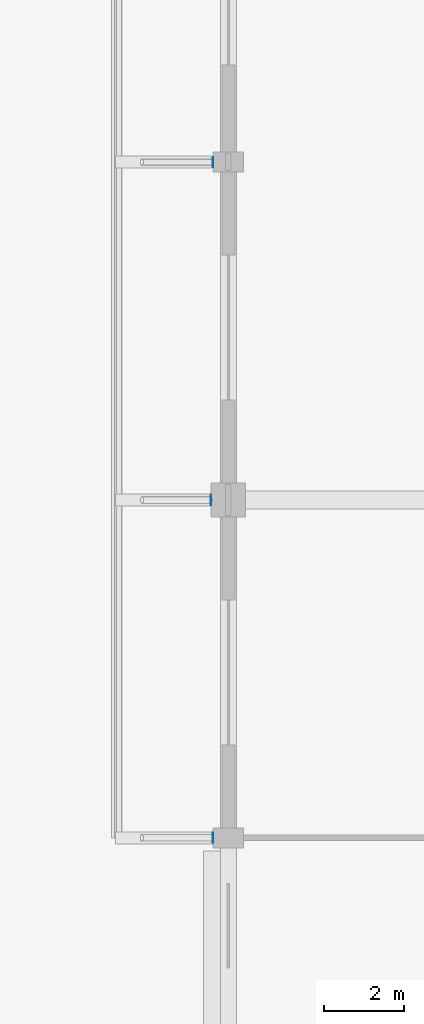
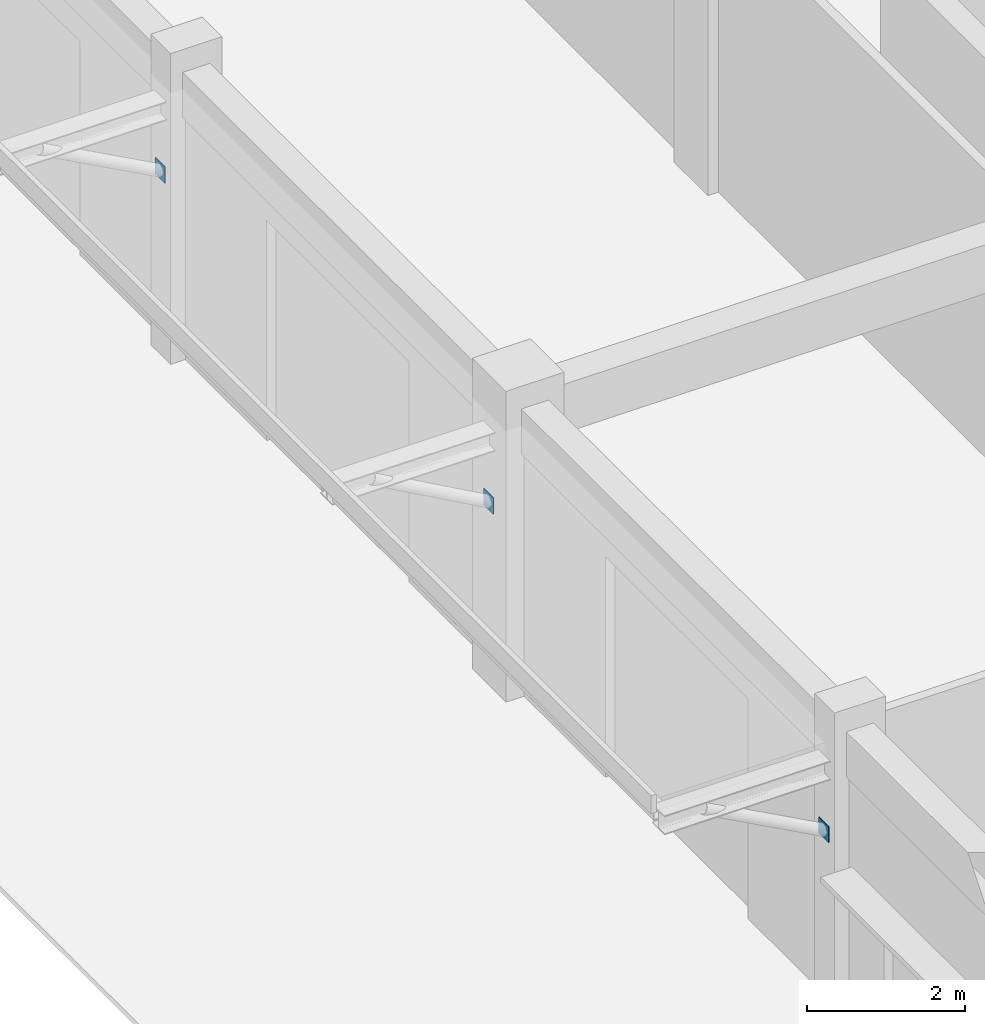
# One storey, part 44 of 74: 3 plates.
"""IFC4 building model written with IfcOpenShell, lengths in metres."""

from ifc_helpers import new_model, si_unit, direction, frame, origin, origin_2d, place, context, subcontext, project, spatial, rectangle, extrude, material, layer, layer_set, type_object, element, save


model = new_model("IFC4")

# Units and contexts
model_context = context("Model", 3, precision=1e-05, world=origin(), true_north=direction((0.0, 1.0)))
body_context = subcontext(model_context, "Body", "Model", "MODEL_VIEW")
ifc_project = project(units=[si_unit("LENGTHUNIT", "METRE"), si_unit("AREAUNIT", "SQUARE_METRE"), si_unit("VOLUMEUNIT", "CUBIC_METRE"), si_unit("PLANEANGLEUNIT", "RADIAN"), si_unit("MASSUNIT", "GRAM", prefix="KILO"), si_unit("THERMODYNAMICTEMPERATUREUNIT", "KELVIN"), si_unit("POWERUNIT", "WATT")], contexts=[model_context])

# Site, building, storey
site_placement = place(None, origin())
site = spatial("IfcSite", under=ifc_project, at=site_placement, CompositionType="ELEMENT")
building_placement = place(site_placement, origin())
building = spatial("IfcBuilding", under=site, at=building_placement, Name="Srebrne Nadtorze General Hospital", CompositionType="ELEMENT")
storey_placement = place(building_placement, origin())
storey = spatial("IfcBuildingStorey", under=building, at=storey_placement, Name="L00", CompositionType="ELEMENT", Elevation=0.0)

# Plates
ifc_material = material(Name="Steel S355J2", Category="steel")
ifc_layer = layer(ifc_material, 0.011962890625)
ifc_layer_set = layer_set([ifc_layer], Name="Steel S355J2")
plate_type = type_object("IfcPlateType", Name="Steel bearing plate 12", PredefinedType="SHEET", material=ifc_layer_set)
for number, where, z_axis, x_axis, name in (
    (1, (-0.381103515625, 42.0, 2.72509765625), (0.0, 0.0, 1.0), (1.0, 0.0, 0.0), "Emergency ambulance canopy strut end plate 1"),
    (2, (-0.430908203125, 50.39990234375, 2.72509765625), (0.0, 0.0, 1.0), (1.0, 0.0, 0.0), "Emergency ambulance canopy strut end plate 2"),
    (3, (-0.381103515625, 58.800048828125, 2.72509765625), (0.0, 0.0, 1.0), (1.0, 0.0, 0.0), "Emergency ambulance canopy strut end plate 3"),
):
    element("IfcPlate", number, at=place(storey_placement, frame(where, z_axis=z_axis, x_axis=x_axis)), inside=storey, type_object=plate_type, Name=name, PredefinedType="SHEET", context=body_context, shape_type="SweptSolid", body=[
        extrude(rectangle(XDim=0.011962890625, YDim=0.25, at=origin_2d()), origin(), (0.0, 0.0, 1.0), 0.25),
    ])

save(model, "model.ifc")
